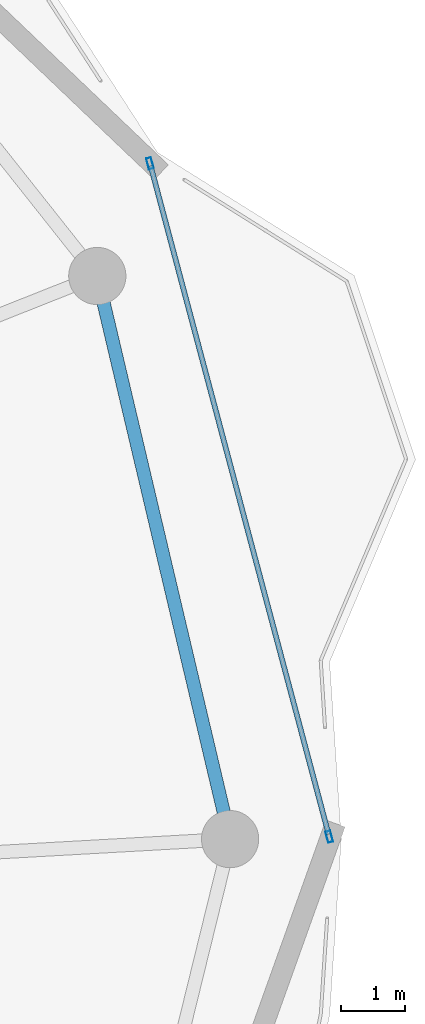
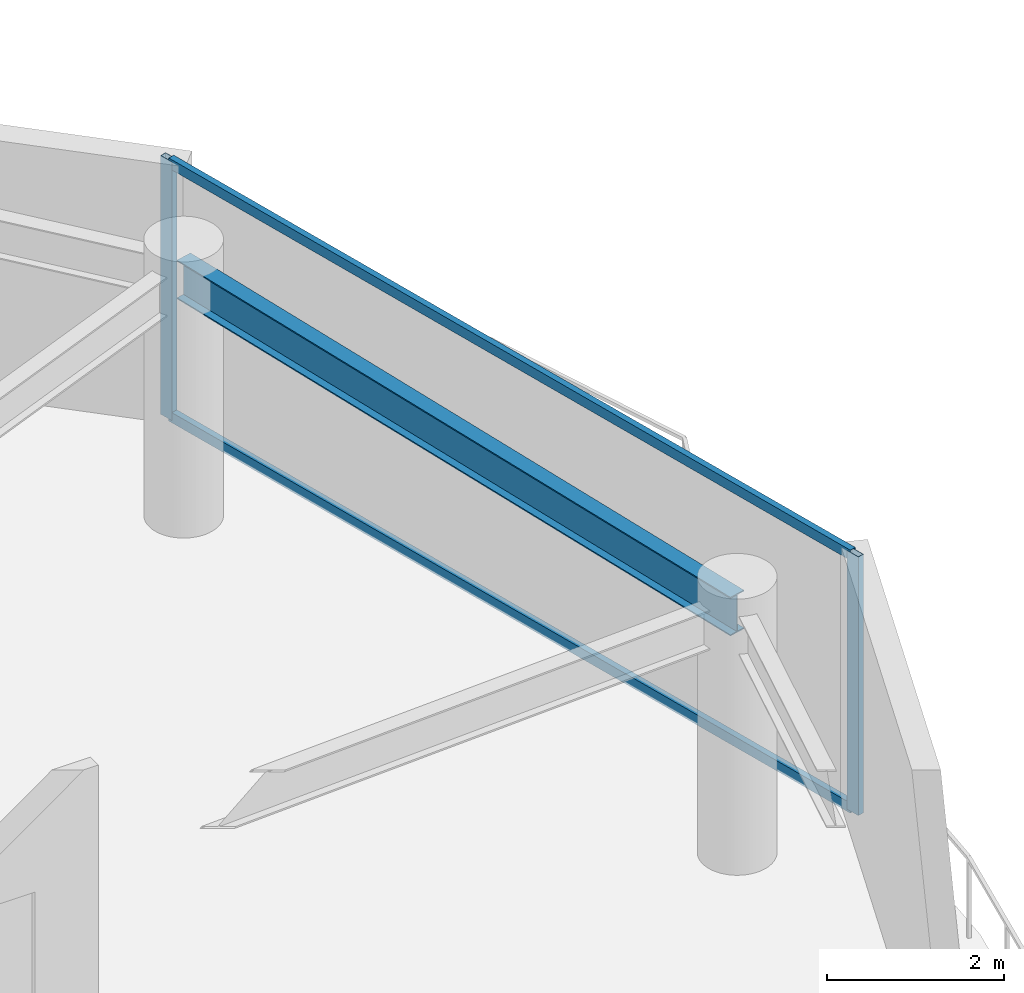
# One storey, part 17 of 29: 4 members, 1 beam, 1 element without a shape of its own.
"""IFC4 building model written with IfcOpenShell, lengths in metres."""

from ifc_helpers import new_model, si_unit, direction, frame, origin, origin_2d, place, context, subcontext, project, spatial, hollow_rectangle, i_section, extrude, material, layer, layer_set, material_profile, profile_set, type_object, element, aggregate, save


model = new_model("IFC4")

# Units and contexts
model_context = context("Model", 3, precision=1e-05, world=origin(), true_north=direction((0.0, 1.0)))
body_context = subcontext(model_context, "Body", "Model", "MODEL_VIEW")
ifc_project = project(units=[si_unit("LENGTHUNIT", "METRE"), si_unit("AREAUNIT", "SQUARE_METRE"), si_unit("VOLUMEUNIT", "CUBIC_METRE"), si_unit("PLANEANGLEUNIT", "RADIAN"), si_unit("MASSUNIT", "GRAM", prefix="KILO")], contexts=[model_context])

# Site, building, storey
site_placement = place(None, origin())
site = spatial("IfcSite", under=ifc_project, at=site_placement, CompositionType="ELEMENT")
building_placement = place(site_placement, origin())
building = spatial("IfcBuilding", under=site, at=building_placement, Name="Kazevale Care Tower and Concert Hall", CompositionType="ELEMENT")
storey_placement = place(building_placement, frame((0.0, 0.0, 281.39990234375)))
storey = spatial("IfcBuildingStorey", under=building, at=storey_placement, Name="L74", CompositionType="ELEMENT", Elevation=281.39990234375)

# Curtain wall, members
ifc_material_1 = material(Name="Aluminium 6063-T6 and Low-E Glass", Category="aluminium")
ifc_layer = layer(ifc_material_1, 0.179931640625)
ifc_layer_set = layer_set([ifc_layer], Name="Aluminium 6063-T6 and Low-E Glass")
curtain_wall_type = type_object("IfcCurtainWallType", Name="Waist & Upper Residential Curtain Wall CW-4", PredefinedType="NOTDEFINED", material=ifc_layer_set)
curtain_wall_placement = place(storey_placement, origin())
curtain_wall = element("IfcCurtainWall", 1, at=curtain_wall_placement, inside=storey, type_object=curtain_wall_type, Name="cw:L74:f18", PredefinedType="NOTDEFINED")
ifc_material_2 = material(Name="Aluminium 6063-T6", Category="aluminium")
ifc_material_profile_1 = material_profile(ifc_material_2, hollow_rectangle(XDim=0.080078125, YDim=0.179931640625, WallThickness=0.0048828125, at=origin_2d()), Name="ALU80x180x5")
ifc_profile_set_1 = profile_set([ifc_material_profile_1], Name="Aluminium 6063-T6")
member_type_1 = type_object("IfcMemberType", Name="CW-4 Mullion ALU80x180x5", PredefinedType="MULLION", material=ifc_profile_set_1)
member_1_placement = place(storey_placement, frame((71.189208984375, 48.63330078125, 0.0), z_axis=(0.0, 0.0, 1.0), x_axis=(0.966344563475, 0.257251209214, 0.0)))
member_1 = element("IfcMember", 2, at=member_1_placement, type_object=member_type_1, Name="CW-4 mullion 1", PredefinedType="MULLION", context=body_context, shape_type="SweptSolid", body=[
    extrude(hollow_rectangle(XDim=0.080078125, YDim=0.179931640625, WallThickness=0.0048828125, at=origin_2d()), origin(), (0.0, 0.0, 1.0), 3.56005859375),
])
member_2_placement = place(storey_placement, frame((74.009765625, 38.03857421875, 0.0), z_axis=(0.0, 0.0, 1.0), x_axis=(0.966344563475, 0.257251209214, 0.0)))
member_2 = element("IfcMember", 3, at=member_2_placement, type_object=member_type_1, Name="CW-4 mullion 2", PredefinedType="MULLION", context=body_context, shape_type="SweptSolid", body=[
    extrude(hollow_rectangle(XDim=0.080078125, YDim=0.179931640625, WallThickness=0.0048828125, at=origin_2d()), origin(), (0.0, 0.0, 1.0), 3.56005859375),
])
ifc_material_profile_2 = material_profile(ifc_material_2, hollow_rectangle(XDim=0.080078125, YDim=0.139892578125, WallThickness=0.00390625, at=origin_2d()), Name="ALU80x140x4")
ifc_profile_set_2 = profile_set([ifc_material_profile_2], Name="Aluminium 6063-T6")
member_type_2 = type_object("IfcMemberType", Name="CW-4 Transom ALU80x140x4", PredefinedType="USERDEFINED", material=ifc_profile_set_2)
member_3_placement = place(storey_placement, frame((71.199462890625, 48.5947265625, 0.0400390625), z_axis=(0.257270305529, -0.966339479631, 0.0), x_axis=(0.966339479631, 0.257270305529, 0.0)))
member_3 = element("IfcMember", 4, at=member_3_placement, type_object=member_type_2, Name="CW-4 transom 1.1", ObjectType="TRANSOM", PredefinedType="USERDEFINED", context=body_context, shape_type="SweptSolid", body=[
    extrude(hollow_rectangle(XDim=0.080078125, YDim=0.139892578125, WallThickness=0.00390625, at=origin_2d()), origin(), (0.0, 0.0, 1.0), 10.8837890625),
])
member_4_placement = place(storey_placement, frame((71.199462890625, 48.5947265625, 3.52001953125), z_axis=(0.257270305529, -0.966339479631, 0.0), x_axis=(0.966339479631, 0.257270305529, 0.0)))
member_4 = element("IfcMember", 5, at=member_4_placement, type_object=member_type_2, Name="CW-4 transom 1.2", ObjectType="TRANSOM", PredefinedType="USERDEFINED", context=body_context, shape_type="SweptSolid", body=[
    extrude(hollow_rectangle(XDim=0.080078125, YDim=0.139892578125, WallThickness=0.00390625, at=origin_2d()), origin(), (0.0, 0.0, 1.0), 10.8837890625),
])
aggregate(curtain_wall, [member_1, member_2, member_3, member_4])

# Beam
ifc_material_3 = material(Name="Steel ASTM A572 Gr 50", Category="steel")
ifc_material_profile_3 = material_profile(ifc_material_3, i_section(OverallWidth=0.208984375, OverallDepth=0.532958984375, WebThickness=0.01025390625, FlangeThickness=0.015625, at=origin_2d()), Name="W530x92")
ifc_profile_set_3 = profile_set([ifc_material_profile_3], Name="Steel ASTM A572 Gr 50")
beam_type = type_object("IfcBeamType", Name="Upper Ring Beam W530x92", PredefinedType="BEAM", material=ifc_profile_set_3)
beam_placement = place(storey_placement, frame((72.449951171875, 38.0, 3.293701171875), z_axis=(-0.229571460706, 0.973291808467, 0.0), x_axis=(-0.973291808467, -0.229571460706, 0.0)))
element("IfcBeam", 6, at=beam_placement, inside=storey, type_object=beam_type, Name="beam:L74:ring:01", PredefinedType="BEAM", context=body_context, shape_type="SweptSolid", body=[
    extrude(i_section(OverallWidth=0.208984375, OverallDepth=0.532958984375, WebThickness=0.01025390625, FlangeThickness=0.015625, at=origin_2d()), origin(), (0.0, 0.0, 1.0), 9.103271484375),
])

save(model, "model.ifc")
